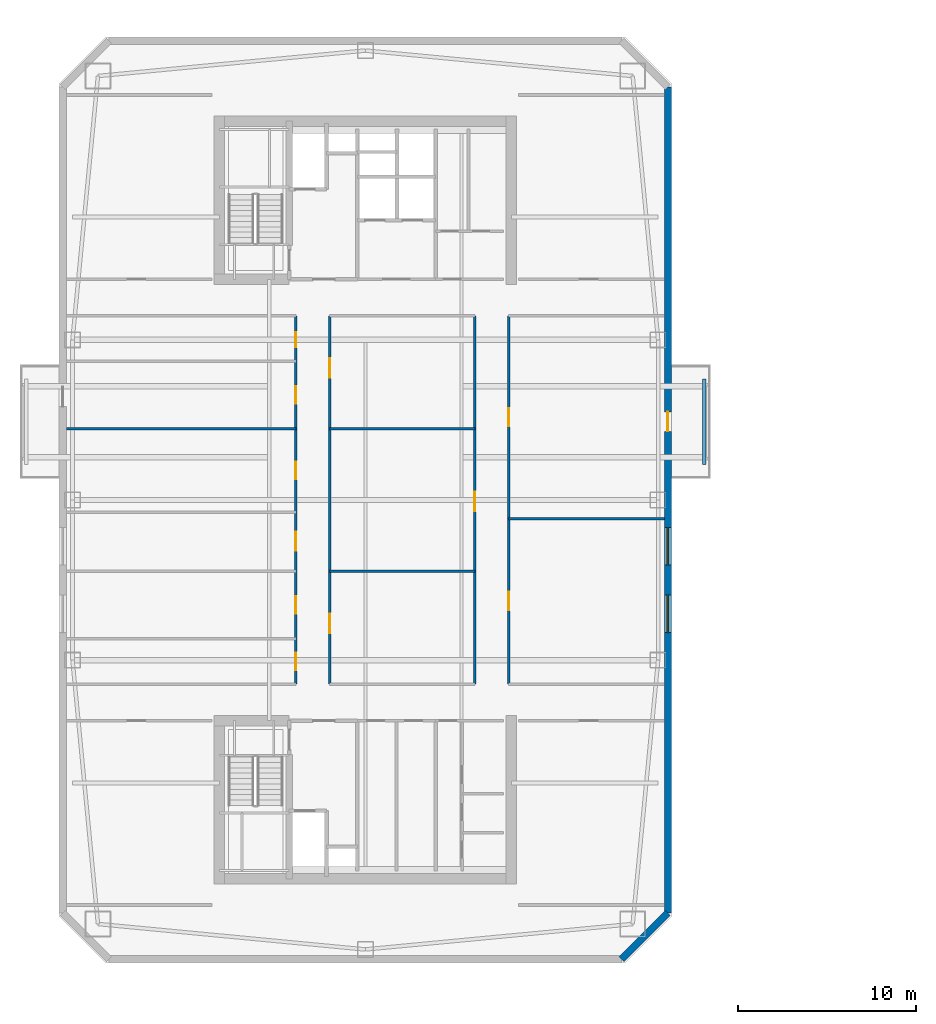
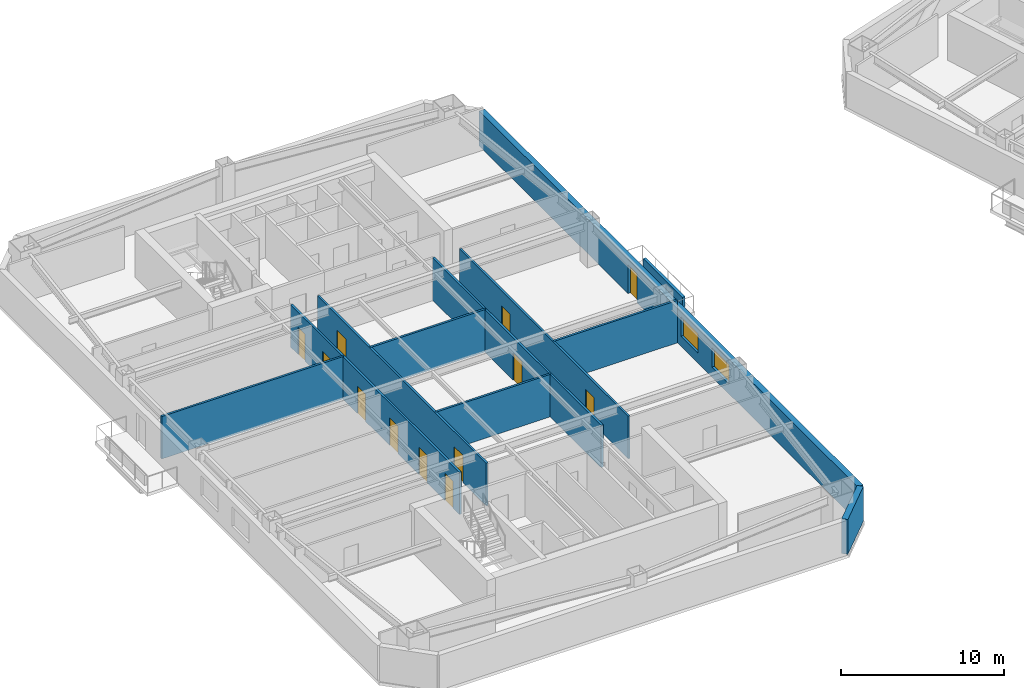
# One storey, part 7 of 17: 12 doors, 11 walls, 2 windows, 14 openings.
"""IFC4 building model written with IfcOpenShell, lengths in metres."""

import ifcopenshell
import ifcopenshell.guid

model = None  # the IFC model being written
_history = None  # IfcOwnerHistory: only IFC2X3 demands one
_inside = {}  # id of a spatial element -> (the spatial element, [elements in it])
_under = {}  # id of a project, library or spatial element -> (it, [spatial elements below it])
_declared = {}  # id of a project -> (the project, [libraries it declares])
_typed = {}  # id of a type object -> (the type object, [elements of that type])
_made_of = {}  # id of a material, layer set ... -> (it, [elements and type objects made of it])


def new_model(schema):
    """Start an empty IFC model of exactly this schema.

    Asked for "IFC4X3", IfcOpenShell would pick the latest addendum, in which some entities
    have other attributes; the version numbers below select the first issue.
    IFC2X3 requires an IfcOwnerHistory on every rooted entity: one is made here for all.
    """
    global model, _history
    if schema == "IFC4X3":
        model = ifcopenshell.file(schema_version=(4, 3, 0, 0))
    else:
        model = ifcopenshell.file(schema=schema)
    _inside.clear()
    _under.clear()
    _declared.clear()
    _typed.clear()
    _made_of.clear()
    _history = None
    if model.schema == "IFC2X3":
        org = make("IfcOrganization", Name="unknown")
        user = make(
            "IfcPersonAndOrganization",
            ThePerson=make("IfcPerson", FamilyName="unknown"),
            TheOrganization=org,
        )
        app = make(
            "IfcApplication",
            ApplicationDeveloper=org,
            Version="unknown",
            ApplicationFullName="unknown",
            ApplicationIdentifier="unknown",
        )
        _history = make(
            "IfcOwnerHistory",
            OwningUser=user,
            OwningApplication=app,
            ChangeAction="ADDED",
            CreationDate=0,
        )
    return model


def make(cls, **values):
    """One entity of the class cls with the attributes given. An attribute that is None is left unset."""
    return model.create_entity(
        cls, **{name: value for name, value in values.items() if value is not None}
    )


def rooted(cls, **values):
    """An entity with a GlobalId (a new one), such as an element, a storey or a relation."""
    return make(cls, GlobalId=ifcopenshell.guid.new(), OwnerHistory=_history, **values)


def si_unit(unit_type, name, prefix=None):
    """IfcSIUnit, for example si_unit("LENGTHUNIT", "METRE", prefix="MILLI")."""
    return make("IfcSIUnit", UnitType=unit_type, Prefix=prefix, Name=name)


def assignment(units):
    """IfcUnitAssignment: the units of a project."""
    return None if units is None else make("IfcUnitAssignment", Units=units)


def point(xyz):
    """IfcCartesianPoint."""
    return None if xyz is None else make("IfcCartesianPoint", Coordinates=xyz)


def direction(xyz):
    """IfcDirection."""
    return None if xyz is None else make("IfcDirection", DirectionRatios=xyz)


def frame(location, z_axis=None, x_axis=None):
    """IfcAxis2Placement3D, a coordinate frame: its origin and axes. An axis left out is left unset."""
    return make(
        "IfcAxis2Placement3D",
        Location=point(location),
        Axis=direction(z_axis),
        RefDirection=direction(x_axis),
    )


def frame_2d(location, x_axis=None):
    """IfcAxis2Placement2D, a coordinate frame in the plane: its origin and x axis."""
    return make(
        "IfcAxis2Placement2D", Location=point(location), RefDirection=direction(x_axis)
    )


def origin():
    """The frame at (0, 0, 0) with its axes left unset."""
    return frame((0.0, 0.0, 0.0))


def place(relative_to, where):
    """IfcLocalPlacement: puts the frame where relative to a parent placement (None: the world)."""
    return make(
        "IfcLocalPlacement", PlacementRelTo=relative_to, RelativePlacement=where
    )


def context(
    kind, dimensions, precision=None, world=None, true_north=None, identifier=None
):
    """IfcGeometricRepresentationContext, for example the 3D "Model" context."""
    return make(
        "IfcGeometricRepresentationContext",
        ContextIdentifier=identifier,
        ContextType=kind,
        CoordinateSpaceDimension=dimensions,
        Precision=precision,
        WorldCoordinateSystem=world,
        TrueNorth=true_north,
    )


def subcontext(parent, identifier, kind, view, scale=None):
    """IfcGeometricRepresentationSubContext, for example "Body" below "Model"."""
    return make(
        "IfcGeometricRepresentationSubContext",
        ContextIdentifier=identifier,
        ContextType=kind,
        ParentContext=parent,
        TargetScale=scale,
        TargetView=view,
    )


def project(units=None, contexts=None):
    """IfcProject with its units and contexts."""
    return rooted(
        "IfcProject",
        Name="project",
        RepresentationContexts=contexts,
        UnitsInContext=assignment(units),
    )


def spatial(cls, under=None, at=None, **own):
    """A site, building, storey or space (cls), placed at a placement, below another one or the project."""
    s = rooted(cls, ObjectPlacement=at, **own)
    if under is not None:
        _under.setdefault(under.id(), (under, []))[1].append(s)
    return s


def profile(cls, at=None, kind="AREA", **sizes):
    """A parametric profile (cls). Its sizes go by their IFC names, for example OverallWidth=200.0."""
    return make(cls, ProfileType=kind, Position=at, **sizes)


def rectangle(**sizes):
    """IfcRectangleProfileDef."""
    return profile("IfcRectangleProfileDef", **sizes)


def extrude(swept, where, along, depth):
    """IfcExtrudedAreaSolid: the profile swept, set in the frame where, extruded along a direction by depth."""
    return make(
        "IfcExtrudedAreaSolid",
        SweptArea=swept,
        Position=where,
        ExtrudedDirection=direction(along),
        Depth=depth,
    )


def shape(context_of_items, identifier, shape_type, items):
    """IfcShapeRepresentation: the items that make up one representation, for example the "Body"."""
    return make(
        "IfcShapeRepresentation",
        ContextOfItems=context_of_items,
        RepresentationIdentifier=identifier,
        RepresentationType=shape_type,
        Items=items,
    )


def material(Name=None, Category=None):
    """IfcMaterial."""
    return make("IfcMaterial", Name=Name, Category=Category)


def layer(
    of_material, thickness, ventilated=None, Name=None, Category=None, Priority=None
):
    """IfcMaterialLayer: one layer of a wall or slab, of a material (None: an air gap)."""
    return make(
        "IfcMaterialLayer",
        Material=of_material,
        LayerThickness=thickness,
        IsVentilated=ventilated,
        Name=Name,
        Category=Category,
        Priority=Priority,
    )


def layer_set(layers, Name=None):
    """IfcMaterialLayerSet."""
    return make("IfcMaterialLayerSet", MaterialLayers=layers, LayerSetName=Name)


def made_of(thing, what):
    """Note that an element or type object is made of a material, layer set ...; save() writes the relation."""
    if what is not None:
        _made_of.setdefault(what.id(), (what, []))[1].append(thing)
    return thing


def type_object(cls, material=None, **own):
    """A type object (cls), such as IfcWallType, which elements share."""
    return made_of(rooted(cls, **own), material)


def element(
    cls,
    number,
    at=None,
    inside=None,
    cuts=None,
    type_object=None,
    material=None,
    context=None,
    identifier="Body",
    shape_type=None,
    held_by="IfcProductDefinitionShape",
    body=None,
    shapes=None,
    **own,
):
    """One element of the class cls, such as IfcWall. Its Tag is "e" and its number.

    at: its placement. inside: the storey or other place that contains it. cuts: it is an
    opening in that element (IfcRelVoidsElement). A single representation is given by context,
    identifier, shape_type and body (its items); several are given by shapes. held_by: the class
    of the entity that holds the representations. save() writes the other relations.
    """
    e = rooted(cls, Tag="e%d" % number, ObjectPlacement=at, **own)
    if body is not None:
        shapes = [shape(context, identifier, shape_type, body)]
    if shapes is not None:
        e.Representation = make(held_by, Representations=shapes)
    if inside is not None:
        _inside.setdefault(inside.id(), (inside, []))[1].append(e)
    if cuts is not None:
        rooted(
            "IfcRelVoidsElement", RelatingBuildingElement=cuts, RelatedOpeningElement=e
        )
    if type_object is not None:
        _typed.setdefault(type_object.id(), (type_object, []))[1].append(e)
    return made_of(e, material)


def fill(opening, filler):
    """IfcRelFillsElement: the door or window that sits in an opening."""
    return rooted(
        "IfcRelFillsElement",
        RelatingOpeningElement=opening,
        RelatedBuildingElement=filler,
    )


def aggregate(whole, parts):
    """IfcRelAggregates: a whole, such as a stair, and the parts it consists of."""
    return rooted("IfcRelAggregates", RelatingObject=whole, RelatedObjects=parts)


def save(model, path):
    """Write the relations noted so far, then the file.

    IfcRelAggregates (storeys below a building ...), IfcRelContainedInSpatialStructure (elements
    in a storey), IfcRelDefinesByType, IfcRelAssociatesMaterial and IfcRelDeclares: one each for
    every whole, place, type object, material and project.
    """
    for whole, parts in _under.values():
        aggregate(whole, parts)
    for where, things in _inside.values():
        rooted(
            "IfcRelContainedInSpatialStructure",
            RelatedElements=things,
            RelatingStructure=where,
        )
    for kind, things in _typed.values():
        rooted("IfcRelDefinesByType", RelatedObjects=things, RelatingType=kind)
    for what, things in _made_of.values():
        rooted("IfcRelAssociatesMaterial", RelatedObjects=things, RelatingMaterial=what)
    for by, libraries in _declared.values():
        rooted("IfcRelDeclares", RelatingContext=by, RelatedDefinitions=libraries)
    model.write(path)


model = new_model("IFC4")

# Units and contexts
model_context = context("Model", 3, precision=1e-05, world=origin(), true_north=direction((0.0, 1.0)))
body_context = subcontext(model_context, "Body", "Model", "MODEL_VIEW")
ifc_project = project(units=[si_unit("LENGTHUNIT", "METRE"), si_unit("AREAUNIT", "SQUARE_METRE"), si_unit("VOLUMEUNIT", "CUBIC_METRE"), si_unit("PLANEANGLEUNIT", "RADIAN"), si_unit("MASSUNIT", "GRAM", prefix="KILO")], contexts=[model_context])

# Site, building, storey
site_placement = place(None, origin())
site = spatial("IfcSite", under=ifc_project, at=site_placement, CompositionType="ELEMENT")
building_placement = place(site_placement, origin())
building = spatial("IfcBuilding", under=site, at=building_placement, Name="Qiaolan Cultural Towers", CompositionType="ELEMENT")
storey_placement = place(building_placement, frame((0.0, 0.0, 177.10009765625)))
storey = spatial("IfcBuildingStorey", under=building, at=storey_placement, Name="L47", CompositionType="ELEMENT", Elevation=177.10009765625)

# Wall, openings, door, windows
ifc_material_1 = material(Name="Precast Concrete C50 Honed Stone Pier", Category="masonry")
ifc_layer_1 = layer(ifc_material_1, 0.39990234375)
ifc_layer_set_1 = layer_set([ifc_layer_1], Name="Precast Concrete C50 Honed Stone Pier")
wall_type_1 = type_object("IfcWallType", Name="WL-EXT-PIER-400", PredefinedType="SOLIDWALL", material=ifc_layer_set_1)
wall_1_placement = place(storey_placement, frame((47.0, 57.199951171875, 0.0), z_axis=(0.0, 0.0, 1.0), x_axis=(0.0, -1.0, 0.0)))
wall_1 = element("IfcWall", 1, at=wall_1_placement, inside=storey, type_object=wall_type_1, Name="L47 West Tower Precast Pier Facade Wall F5", PredefinedType="SOLIDWALL", context=body_context, shape_type="SweptSolid", body=[
    extrude(rectangle(XDim=46.39990234375, YDim=0.39990234375, at=frame_2d((23.199951171875, 0.0))), origin(), (0.0, 0.0, 1.0), 2.60986328125),
])
opening_1_placement = place(wall_1_placement, frame((28.550048828125, 0.0, 0.75)))
opening_1 = element("IfcOpeningElement", 2, at=opening_1_placement, cuts=wall_1, Name="Opening W-05", PredefinedType="OPENING", context=body_context, shape_type="SweptSolid", body=[
    extrude(rectangle(XDim=2.10009765625, YDim=1.4599609375, at=frame_2d((1.050048828125, 0.72998046875))), frame((0.0, 0.2099609375, 0.0), z_axis=(0.0, -1.0, 0.0), x_axis=(1.0, 0.0, 0.0)), (0.0, 0.0, 1.0), 0.419921875),
])
opening_2_placement = place(wall_1_placement, frame((24.75, 0.0, 0.75)))
opening_2 = element("IfcOpeningElement", 3, at=opening_2_placement, cuts=wall_1, Name="Opening W-05", PredefinedType="OPENING", context=body_context, shape_type="SweptSolid", body=[
    extrude(rectangle(XDim=2.10009765625, YDim=1.4599609375, at=frame_2d((1.050048828125, 0.72998046875))), frame((0.0, 0.2099609375, 0.0), z_axis=(0.0, -1.0, 0.0), x_axis=(1.0, 0.0, 0.0)), (0.0, 0.0, 1.0), 0.419921875),
])
opening_3_placement = place(wall_1_placement, frame((18.25, 0.0, 0.0)))
opening_3 = element("IfcOpeningElement", 4, at=opening_3_placement, cuts=wall_1, Name="Opening BD-01", PredefinedType="OPENING", context=body_context, shape_type="SweptSolid", body=[
    extrude(rectangle(XDim=1.10009765625, YDim=2.14990234375, at=frame_2d((0.550048828125, 1.074951171875))), frame((0.0, 0.2099609375, 0.0), z_axis=(0.0, -1.0, 0.0), x_axis=(1.0, 0.0, 0.0)), (0.0, 0.0, 1.0), 0.419921875),
])
ifc_material_2 = material(Name="Thermally Broken Aluminium Glazed Terrace Door", Category="aluminium")
door_type_1 = type_object("IfcDoorType", Name="DR-BAL-1100", OperationType="NOTDEFINED", PredefinedType="DOOR", material=ifc_material_2)
door_1_placement = place(opening_3_placement, origin())
door_1 = element("IfcDoor", 5, at=door_1_placement, inside=storey, type_object=door_type_1, Name="L47 T1 East Tree Balcony Door", OperationType="SINGLE_SWING_RIGHT", OverallHeight=2.14990234375, OverallWidth=1.10009765625, PredefinedType="DOOR", context=body_context, shape_type="SweptSolid", body=[
    extrude(rectangle(XDim=1.10009765625, YDim=2.14990234375, at=frame_2d((0.550048828125, 1.074951171875))), frame((0.0, 0.02490234375, 0.0), z_axis=(0.0, -1.0, 0.0), x_axis=(1.0, 0.0, 0.0)), (0.0, 0.0, 1.0), 0.050048828125),
])
fill(opening_3, door_1)
ifc_material_3 = material(Name="Thermally Broken Aluminium Triple Low-E Glazing", Category="aluminium")
window_type = type_object("IfcWindowType", Name="WN-CHIC-2100", PartitioningType="SINGLE_PANEL", PredefinedType="WINDOW", material=ifc_material_3)
window_1_placement = place(opening_1_placement, origin())
window_1 = element("IfcWindow", 6, at=window_1_placement, inside=storey, type_object=window_type, Name="L47 T1 E Chicago Bay Window 1", OverallHeight=1.4599609375, OverallWidth=2.10009765625, PartitioningType="TRIPLE_PANEL_VERTICAL", PredefinedType="WINDOW", context=body_context, shape_type="SweptSolid", body=[
    extrude(rectangle(XDim=2.10009765625, YDim=1.4599609375, at=frame_2d((1.050048828125, 0.72998046875))), frame((0.0, 0.030029296875, 0.0), z_axis=(0.0, -1.0, 0.0), x_axis=(1.0, 0.0, 0.0)), (0.0, 0.0, 1.0), 0.06005859375),
])
fill(opening_1, window_1)
window_2_placement = place(opening_2_placement, origin())
window_2 = element("IfcWindow", 7, at=window_2_placement, inside=storey, type_object=window_type, Name="L47 T1 E Chicago Bay Window 2", OverallHeight=1.4599609375, OverallWidth=2.10009765625, PartitioningType="TRIPLE_PANEL_VERTICAL", PredefinedType="WINDOW", context=body_context, shape_type="SweptSolid", body=[
    extrude(rectangle(XDim=2.10009765625, YDim=1.4599609375, at=frame_2d((1.050048828125, 0.72998046875))), frame((0.0, 0.030029296875, 0.0), z_axis=(0.0, -1.0, 0.0), x_axis=(1.0, 0.0, 0.0)), (0.0, 0.0, 1.0), 0.06005859375),
])
fill(opening_2, window_2)

# Wall
wall_2_placement = place(storey_placement, frame((47.0, 10.800048828125, 0.0), z_axis=(0.0, 0.0, 1.0), x_axis=(-0.707106781187, -0.707106781187, 0.0)))
element("IfcWall", 8, at=wall_2_placement, inside=storey, type_object=wall_type_1, Name="L47 West Tower Precast Pier Facade Wall F6", PredefinedType="SOLIDWALL", context=body_context, shape_type="SweptSolid", body=[
    extrude(rectangle(XDim=3.677001953125, YDim=0.39990234375, at=frame_2d((1.83837890625, 0.0))), origin(), (0.0, 0.0, 1.0), 2.60986328125),
])

# Wall, openings, doors
ifc_material_4 = material(Name="Autoclaved Aerated Concrete Block B06", Category="concrete")
ifc_layer_2 = layer(ifc_material_4, 0.14990234375)
ifc_layer_set_2 = layer_set([ifc_layer_2], Name="Autoclaved Aerated Concrete Block B06")
wall_type_2 = type_object("IfcWallType", Name="WL-PART-150", PredefinedType="PARTITIONING", material=ifc_layer_set_2)
wall_3_placement = place(storey_placement, frame((26.10009765625, 23.64990234375, 0.0), z_axis=(0.0, 0.0, 1.0), x_axis=(0.0, 1.0, 0.0)))
wall_3 = element("IfcWall", 9, at=wall_3_placement, inside=storey, type_object=wall_type_2, Name="L47 T1 Interior Wall", PredefinedType="PARTITIONING", context=body_context, shape_type="SweptSolid", body=[
    extrude(rectangle(XDim=20.7001953125, YDim=0.14990234375, at=frame_2d((10.35009765625, 0.0))), origin(), (0.0, 0.0, 1.0), 3.1748046875),
])
opening_4_placement = place(wall_3_placement, frame((0.77490234375, 0.0, 0.0)))
opening_4 = element("IfcOpeningElement", 10, at=opening_4_placement, cuts=wall_3, Name="Opening ID-04", PredefinedType="OPENING", context=body_context, shape_type="SweptSolid", body=[
    extrude(rectangle(XDim=1.0, YDim=2.050048828125, at=frame_2d((0.5, 1.02490234375))), frame((0.0, 0.0849609375, 0.0), z_axis=(0.0, -1.0, 0.0), x_axis=(1.0, 0.0, 0.0)), (0.0, 0.0, 1.0), 0.169921875),
])
opening_5_placement = place(wall_3_placement, frame((3.949951171875, 0.0, 0.0)))
opening_5 = element("IfcOpeningElement", 11, at=opening_5_placement, cuts=wall_3, Name="Opening ID-04", PredefinedType="OPENING", context=body_context, shape_type="SweptSolid", body=[
    extrude(rectangle(XDim=1.0, YDim=2.050048828125, at=frame_2d((0.5, 1.02490234375))), frame((0.0, 0.0849609375, 0.0), z_axis=(0.0, -1.0, 0.0), x_axis=(1.0, 0.0, 0.0)), (0.0, 0.0, 1.0), 0.169921875),
])
opening_6_placement = place(wall_3_placement, frame((7.510009765625, 0.0, 0.0)))
opening_6 = element("IfcOpeningElement", 12, at=opening_6_placement, cuts=wall_3, Name="Opening ID-07", PredefinedType="OPENING", context=body_context, shape_type="SweptSolid", body=[
    extrude(rectangle(XDim=1.050048828125, YDim=2.050048828125, at=frame_2d((0.52490234375, 1.02490234375))), frame((0.0, 0.0849609375, 0.0), z_axis=(0.0, -1.0, 0.0), x_axis=(1.0, 0.0, 0.0)), (0.0, 0.0, 1.0), 0.169921875),
])
opening_7_placement = place(wall_3_placement, frame((11.510009765625, 0.0, 0.0)))
opening_7 = element("IfcOpeningElement", 13, at=opening_7_placement, cuts=wall_3, Name="Opening ID-04", PredefinedType="OPENING", context=body_context, shape_type="SweptSolid", body=[
    extrude(rectangle(XDim=1.0, YDim=2.050048828125, at=frame_2d((0.5, 1.02490234375))), frame((0.0, 0.0849609375, 0.0), z_axis=(0.0, -1.0, 0.0), x_axis=(1.0, 0.0, 0.0)), (0.0, 0.0, 1.0), 0.169921875),
])
opening_8_placement = place(wall_3_placement, frame((15.75, 0.0, 0.0)))
opening_8 = element("IfcOpeningElement", 14, at=opening_8_placement, cuts=wall_3, Name="Opening ID-04", PredefinedType="OPENING", context=body_context, shape_type="SweptSolid", body=[
    extrude(rectangle(XDim=1.0, YDim=2.050048828125, at=frame_2d((0.5, 1.02490234375))), frame((0.0, 0.0849609375, 0.0), z_axis=(0.0, -1.0, 0.0), x_axis=(1.0, 0.0, 0.0)), (0.0, 0.0, 1.0), 0.169921875),
])
opening_9_placement = place(wall_3_placement, frame((18.925048828125, 0.0, 0.0)))
opening_9 = element("IfcOpeningElement", 15, at=opening_9_placement, cuts=wall_3, Name="Opening ID-09", PredefinedType="OPENING", context=body_context, shape_type="SweptSolid", body=[
    extrude(rectangle(XDim=0.85009765625, YDim=2.050048828125, at=frame_2d((0.425048828125, 1.02490234375))), frame((0.0, 0.0849609375, 0.0), z_axis=(0.0, -1.0, 0.0), x_axis=(1.0, 0.0, 0.0)), (0.0, 0.0, 1.0), 0.169921875),
])
ifc_material_5 = material(Name="Oak Veneer Acoustic Office Door", Category="timber")
door_type_2 = type_object("IfcDoorType", Name="DR-INT-1000", OperationType="NOTDEFINED", PredefinedType="DOOR", material=ifc_material_5)
door_2_placement = place(opening_4_placement, origin())
door_2 = element("IfcDoor", 16, at=door_2_placement, inside=storey, type_object=door_type_2, Name="L47 T1 Digital Media Gallery Door", OperationType="SINGLE_SWING_LEFT", OverallHeight=2.050048828125, OverallWidth=1.0, PredefinedType="DOOR", context=body_context, shape_type="SweptSolid", body=[
    extrude(rectangle(XDim=1.0, YDim=2.050048828125, at=frame_2d((0.5, 1.02490234375))), frame((0.0, 0.02490234375, 0.0), z_axis=(0.0, -1.0, 0.0), x_axis=(1.0, 0.0, 0.0)), (0.0, 0.0, 1.0), 0.050048828125),
])
fill(opening_4, door_2)
door_3_placement = place(opening_5_placement, origin())
door_3 = element("IfcDoor", 17, at=door_3_placement, inside=storey, type_object=door_type_2, Name="L47 T1 Digital Media Gallery Door", OperationType="SINGLE_SWING_RIGHT", OverallHeight=2.050048828125, OverallWidth=1.0, PredefinedType="DOOR", context=body_context, shape_type="SweptSolid", body=[
    extrude(rectangle(XDim=1.0, YDim=2.050048828125, at=frame_2d((0.5, 1.02490234375))), frame((0.0, 0.02490234375, 0.0), z_axis=(0.0, -1.0, 0.0), x_axis=(1.0, 0.0, 0.0)), (0.0, 0.0, 1.0), 0.050048828125),
])
fill(opening_5, door_3)
door_4_placement = place(opening_7_placement, origin())
door_4 = element("IfcDoor", 18, at=door_4_placement, inside=storey, type_object=door_type_2, Name="L47 T1 Sound Kitchenette Door", OperationType="SINGLE_SWING_RIGHT", OverallHeight=2.050048828125, OverallWidth=1.0, PredefinedType="DOOR", context=body_context, shape_type="SweptSolid", body=[
    extrude(rectangle(XDim=1.0, YDim=2.050048828125, at=frame_2d((0.5, 1.02490234375))), frame((0.0, 0.02490234375, 0.0), z_axis=(0.0, -1.0, 0.0), x_axis=(1.0, 0.0, 0.0)), (0.0, 0.0, 1.0), 0.050048828125),
])
fill(opening_7, door_4)
door_5_placement = place(opening_8_placement, origin())
door_5 = element("IfcDoor", 19, at=door_5_placement, inside=storey, type_object=door_type_2, Name="L47 T1 Media Lounge Door", OperationType="SINGLE_SWING_LEFT", OverallHeight=2.050048828125, OverallWidth=1.0, PredefinedType="DOOR", context=body_context, shape_type="SweptSolid", body=[
    extrude(rectangle(XDim=1.0, YDim=2.050048828125, at=frame_2d((0.5, 1.02490234375))), frame((0.0, 0.02490234375, 0.0), z_axis=(0.0, -1.0, 0.0), x_axis=(1.0, 0.0, 0.0)), (0.0, 0.0, 1.0), 0.050048828125),
])
fill(opening_8, door_5)
ifc_material_6 = material(Name="Oak Veneer Consultation Door", Category="timber")
door_type_3 = type_object("IfcDoorType", Name="DR-INT-1050", OperationType="NOTDEFINED", PredefinedType="DOOR", material=ifc_material_6)
door_6_placement = place(opening_6_placement, origin())
door_6 = element("IfcDoor", 20, at=door_6_placement, inside=storey, type_object=door_type_3, Name="L47 T1 Sound Kitchenette Door", OperationType="SINGLE_SWING_LEFT", OverallHeight=2.050048828125, OverallWidth=1.050048828125, PredefinedType="DOOR", context=body_context, shape_type="SweptSolid", body=[
    extrude(rectangle(XDim=1.050048828125, YDim=2.050048828125, at=frame_2d((0.52490234375, 1.02490234375))), frame((0.0, 0.02490234375, 0.0), z_axis=(0.0, -1.0, 0.0), x_axis=(1.0, 0.0, 0.0)), (0.0, 0.0, 1.0), 0.050048828125),
])
fill(opening_6, door_6)
ifc_material_7 = material(Name="Moisture-Resistant Laminate Utility Door", Category="timber")
door_type_4 = type_object("IfcDoorType", Name="DR-INT-850", OperationType="NOTDEFINED", PredefinedType="DOOR", material=ifc_material_7)
door_7_placement = place(opening_9_placement, origin())
door_7 = element("IfcDoor", 21, at=door_7_placement, inside=storey, type_object=door_type_4, Name="L47 T1 Media Bookshop Door", OperationType="SINGLE_SWING_RIGHT", OverallHeight=2.050048828125, OverallWidth=0.85009765625, PredefinedType="DOOR", context=body_context, shape_type="SweptSolid", body=[
    extrude(rectangle(XDim=0.85009765625, YDim=2.050048828125, at=frame_2d((0.425048828125, 1.02490234375))), frame((0.0, 0.02490234375, 0.0), z_axis=(0.0, -1.0, 0.0), x_axis=(1.0, 0.0, 0.0)), (0.0, 0.0, 1.0), 0.050048828125),
])
fill(opening_9, door_7)

wall_4_placement = place(storey_placement, frame((28.0, 23.64990234375, 0.0), z_axis=(0.0, 0.0, 1.0), x_axis=(0.0, 1.0, 0.0)))
wall_4 = element("IfcWall", 22, at=wall_4_placement, inside=storey, type_object=wall_type_2, Name="L47 T1 Interior Wall", PredefinedType="PARTITIONING", context=body_context, shape_type="SweptSolid", body=[
    extrude(rectangle(XDim=20.7001953125, YDim=0.14990234375, at=frame_2d((10.35009765625, 0.0))), origin(), (0.0, 0.0, 1.0), 3.1748046875),
])
opening_10_placement = place(wall_4_placement, frame((2.857421875, 0.0, 0.0)))
opening_10 = element("IfcOpeningElement", 23, at=opening_10_placement, cuts=wall_4, Name="Opening ID-03", PredefinedType="OPENING", context=body_context, shape_type="SweptSolid", body=[
    extrude(rectangle(XDim=1.10009765625, YDim=2.050048828125, at=frame_2d((0.550048828125, 1.02490234375))), frame((0.0, 0.0849609375, 0.0), z_axis=(0.0, -1.0, 0.0), x_axis=(1.0, 0.0, 0.0)), (0.0, 0.0, 1.0), 0.169921875),
])
opening_11_placement = place(wall_4_placement, frame((17.20751953125, 0.0, 0.0)))
opening_11 = element("IfcOpeningElement", 24, at=opening_11_placement, cuts=wall_4, Name="Opening ID-03", PredefinedType="OPENING", context=body_context, shape_type="SweptSolid", body=[
    extrude(rectangle(XDim=1.10009765625, YDim=2.050048828125, at=frame_2d((0.550048828125, 1.02490234375))), frame((0.0, 0.0849609375, 0.0), z_axis=(0.0, -1.0, 0.0), x_axis=(1.0, 0.0, 0.0)), (0.0, 0.0, 1.0), 0.169921875),
])
ifc_material_8 = material(Name="Oak Veneer Solid-Core Boardroom Door", Category="timber")
door_type_5 = type_object("IfcDoorType", Name="DR-INT-1100", OperationType="NOTDEFINED", PredefinedType="DOOR", material=ifc_material_8)
door_8_placement = place(opening_10_placement, origin())
door_8 = element("IfcDoor", 25, at=door_8_placement, inside=storey, type_object=door_type_5, Name="L47 T1 Central Boardroom Door", OperationType="SINGLE_SWING_LEFT", OverallHeight=2.050048828125, OverallWidth=1.10009765625, PredefinedType="DOOR", context=body_context, shape_type="SweptSolid", body=[
    extrude(rectangle(XDim=1.10009765625, YDim=2.050048828125, at=frame_2d((0.550048828125, 1.02490234375))), frame((0.0, 0.02490234375, 0.0), z_axis=(0.0, -1.0, 0.0), x_axis=(1.0, 0.0, 0.0)), (0.0, 0.0, 1.0), 0.050048828125),
])
fill(opening_10, door_8)
door_9_placement = place(opening_11_placement, origin())
door_9 = element("IfcDoor", 26, at=door_9_placement, inside=storey, type_object=door_type_5, Name="L47 T1 Central Archive Room Door", OperationType="SINGLE_SWING_RIGHT", OverallHeight=2.050048828125, OverallWidth=1.10009765625, PredefinedType="DOOR", context=body_context, shape_type="SweptSolid", body=[
    extrude(rectangle(XDim=1.10009765625, YDim=2.050048828125, at=frame_2d((0.550048828125, 1.02490234375))), frame((0.0, 0.02490234375, 0.0), z_axis=(0.0, -1.0, 0.0), x_axis=(1.0, 0.0, 0.0)), (0.0, 0.0, 1.0), 0.050048828125),
])
fill(opening_11, door_9)

# Wall, opening, door
wall_5_placement = place(storey_placement, frame((36.14990234375, 23.64990234375, 0.0), z_axis=(0.0, 0.0, 1.0), x_axis=(0.0, 1.0, 0.0)))
wall_5 = element("IfcWall", 27, at=wall_5_placement, inside=storey, type_object=wall_type_2, Name="L47 T1 Interior Wall", PredefinedType="PARTITIONING", context=body_context, shape_type="SweptSolid", body=[
    extrude(rectangle(XDim=20.7001953125, YDim=0.14990234375, at=frame_2d((10.35009765625, 0.0))), origin(), (0.0, 0.0, 1.0), 3.1748046875),
])
opening_12_placement = place(wall_5_placement, frame((9.7099609375, 0.0, 0.0)))
opening_12 = element("IfcOpeningElement", 28, at=opening_12_placement, cuts=wall_5, Name="Opening ID-03", PredefinedType="OPENING", context=body_context, shape_type="SweptSolid", body=[
    extrude(rectangle(XDim=1.10009765625, YDim=2.050048828125, at=frame_2d((0.550048828125, 1.02490234375))), frame((0.0, 0.0849609375, 0.0), z_axis=(0.0, -1.0, 0.0), x_axis=(1.0, 0.0, 0.0)), (0.0, 0.0, 1.0), 0.169921875),
])
door_10_placement = place(opening_12_placement, origin())
door_10 = element("IfcDoor", 29, at=door_10_placement, inside=storey, type_object=door_type_5, Name="L47 T1 Central Study Salon Door", OperationType="SINGLE_SWING_LEFT", OverallHeight=2.050048828125, OverallWidth=1.10009765625, PredefinedType="DOOR", context=body_context, shape_type="SweptSolid", body=[
    extrude(rectangle(XDim=1.10009765625, YDim=2.050048828125, at=frame_2d((0.550048828125, 1.02490234375))), frame((0.0, 0.02490234375, 0.0), z_axis=(0.0, -1.0, 0.0), x_axis=(1.0, 0.0, 0.0)), (0.0, 0.0, 1.0), 0.050048828125),
])
fill(opening_12, door_10)

# Wall, openings, doors
wall_6_placement = place(storey_placement, frame((38.050048828125, 23.64990234375, 0.0), z_axis=(0.0, 0.0, 1.0), x_axis=(0.0, 1.0, 0.0)))
wall_6 = element("IfcWall", 30, at=wall_6_placement, inside=storey, type_object=wall_type_2, Name="L47 T1 Interior Wall", PredefinedType="PARTITIONING", context=body_context, shape_type="SweptSolid", body=[
    extrude(rectangle(XDim=20.7001953125, YDim=0.14990234375, at=frame_2d((10.35009765625, 0.0))), origin(), (0.0, 0.0, 1.0), 3.1748046875),
])
opening_13_placement = place(wall_6_placement, frame((4.1484375, 0.0, 0.0)))
opening_13 = element("IfcOpeningElement", 31, at=opening_13_placement, cuts=wall_6, Name="Opening ID-07", PredefinedType="OPENING", context=body_context, shape_type="SweptSolid", body=[
    extrude(rectangle(XDim=1.050048828125, YDim=2.050048828125, at=frame_2d((0.52490234375, 1.02490234375))), frame((0.0, 0.0849609375, 0.0), z_axis=(0.0, -1.0, 0.0), x_axis=(1.0, 0.0, 0.0)), (0.0, 0.0, 1.0), 0.169921875),
])
opening_14_placement = place(wall_6_placement, frame((14.49853515625, 0.0, 0.0)))
opening_14 = element("IfcOpeningElement", 32, at=opening_14_placement, cuts=wall_6, Name="Opening ID-04", PredefinedType="OPENING", context=body_context, shape_type="SweptSolid", body=[
    extrude(rectangle(XDim=1.0, YDim=2.050048828125, at=frame_2d((0.5, 1.02490234375))), frame((0.0, 0.0849609375, 0.0), z_axis=(0.0, -1.0, 0.0), x_axis=(1.0, 0.0, 0.0)), (0.0, 0.0, 1.0), 0.169921875),
])
door_11_placement = place(opening_14_placement, origin())
door_11 = element("IfcDoor", 33, at=door_11_placement, inside=storey, type_object=door_type_2, Name="L47 T1 Media Studio Office Door", OperationType="SINGLE_SWING_LEFT", OverallHeight=2.050048828125, OverallWidth=1.0, PredefinedType="DOOR", context=body_context, shape_type="SweptSolid", body=[
    extrude(rectangle(XDim=1.0, YDim=2.050048828125, at=frame_2d((0.5, 1.02490234375))), frame((0.0, 0.02490234375, 0.0), z_axis=(0.0, -1.0, 0.0), x_axis=(1.0, 0.0, 0.0)), (0.0, 0.0, 1.0), 0.050048828125),
])
fill(opening_14, door_11)
door_12_placement = place(opening_13_placement, origin())
door_12 = element("IfcDoor", 34, at=door_12_placement, inside=storey, type_object=door_type_3, Name="L47 T1 Wellness & Rest Room Door", OperationType="SINGLE_SWING_RIGHT", OverallHeight=2.050048828125, OverallWidth=1.050048828125, PredefinedType="DOOR", context=body_context, shape_type="SweptSolid", body=[
    extrude(rectangle(XDim=1.050048828125, YDim=2.050048828125, at=frame_2d((0.52490234375, 1.02490234375))), frame((0.0, 0.02490234375, 0.0), z_axis=(0.0, -1.0, 0.0), x_axis=(1.0, 0.0, 0.0)), (0.0, 0.0, 1.0), 0.050048828125),
])
fill(opening_13, door_12)

# Walls
for number, where, z_axis, x_axis, name in (
    (35, (28.0, 30.0, 0.0), (0.0, 0.0, 1.0), (1.0, 0.0, 0.0), "L47 T1 Interior Wall"),
    (36, (28.0, 38.0, 0.0), (0.0, 0.0, 1.0), (1.0, 0.0, 0.0), "L47 T1 Interior Wall"),
):
    element("IfcWall", number, at=place(storey_placement, frame(where, z_axis=z_axis, x_axis=x_axis)), inside=storey, type_object=wall_type_2, Name=name, PredefinedType="PARTITIONING", context=body_context, shape_type="SweptSolid", body=[
        extrude(rectangle(XDim=8.14990234375, YDim=0.14990234375, at=frame_2d((4.074951171875, 0.0))), origin(), (0.0, 0.0, 1.0), 3.1748046875),
    ])
wall_7_placement = place(storey_placement, frame((13.199951171875, 38.0, 0.0), z_axis=(0.0, 0.0, 1.0), x_axis=(1.0, 0.0, 0.0)))
element("IfcWall", 37, at=wall_7_placement, inside=storey, type_object=wall_type_2, Name="L47 T1 Interior Wall", PredefinedType="PARTITIONING", context=body_context, shape_type="SweptSolid", body=[
    extrude(rectangle(XDim=12.900146484375, YDim=0.14990234375, at=frame_2d((6.4501953125, 0.0))), origin(), (0.0, 0.0, 1.0), 3.1748046875),
])
wall_8_placement = place(storey_placement, frame((38.050048828125, 32.947021484375, 0.0), z_axis=(0.0, 0.0, 1.0), x_axis=(1.0, 0.0, 0.0)))
element("IfcWall", 38, at=wall_8_placement, inside=storey, type_object=wall_type_2, Name="L47 T1 Interior Wall", PredefinedType="PARTITIONING", context=body_context, shape_type="SweptSolid", body=[
    extrude(rectangle(XDim=8.75, YDim=0.14990234375, at=frame_2d((4.375, 0.0))), origin(), (0.0, 0.0, 1.0), 3.1748046875),
])
ifc_material_9 = material(Name="Precast Concrete C45 Tree Planter Upstand", Category="concrete")
ifc_layer_3 = layer(ifc_material_9, 0.199951171875)
ifc_layer_set_3 = layer_set([ifc_layer_3], Name="Precast Concrete C45 Tree Planter Upstand")
wall_type_3 = type_object("IfcWallType", Name="WL-PLANTER-200", PredefinedType="PARAPET", material=ifc_layer_set_3)
wall_9_placement = place(storey_placement, frame((49.050048828125, 36.0, 0.0), z_axis=(0.0, 0.0, 1.0), x_axis=(0.0, 1.0, 0.0)))
element("IfcWall", 39, at=wall_9_placement, inside=storey, type_object=wall_type_3, Name="L47 T1 Tree Balcony Soil Planter Box E", PredefinedType="PARAPET", context=body_context, shape_type="SweptSolid", body=[
    extrude(rectangle(XDim=4.800048828125, YDim=0.199951171875, at=frame_2d((2.39990234375, 0.0))), origin(), (0.0, 0.0, 1.0), 0.75),
])

save(model, "model.ifc")
